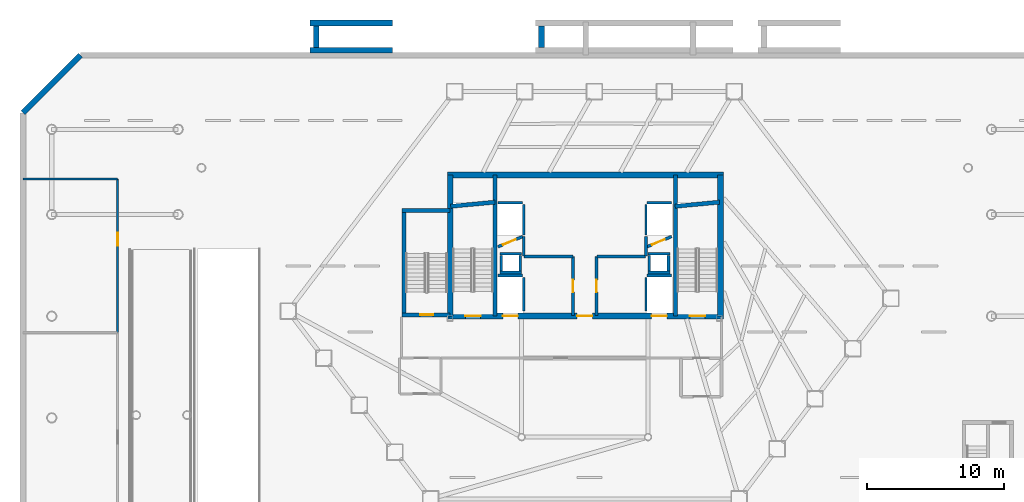
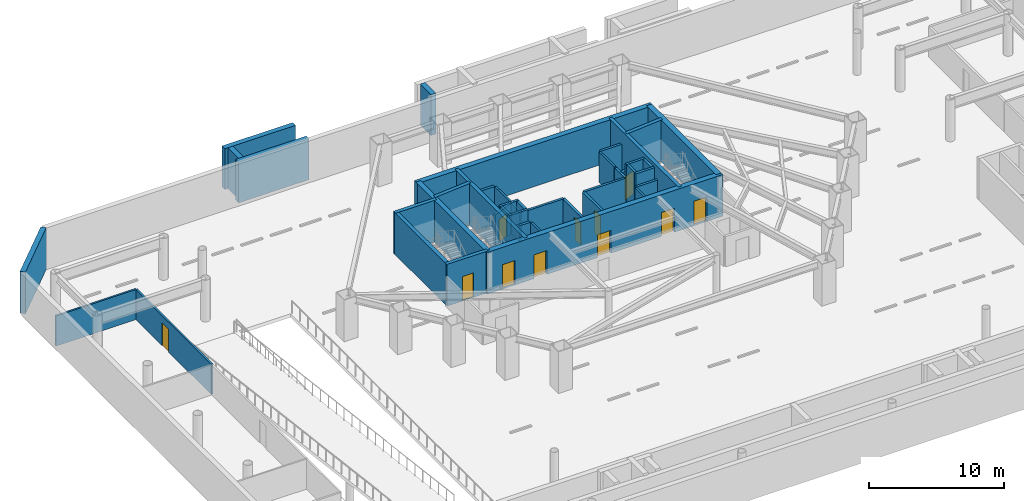
# One storey, part 9 of 15: 42 walls, 11 doors, 11 openings.
"""IFC4 building model written with IfcOpenShell, lengths in metres."""

from ifc_helpers import new_model, si_unit, direction, frame, frame_2d, origin, place, context, subcontext, project, spatial, rectangle, extrude, material, layer, layer_set, type_object, element, fill, save


model = new_model("IFC4")

# Units and contexts
model_context = context("Model", 3, precision=1e-05, world=origin(), true_north=direction((0.0, 1.0)))
body_context = subcontext(model_context, "Body", "Model", "MODEL_VIEW")
ifc_project = project(units=[si_unit("LENGTHUNIT", "METRE"), si_unit("AREAUNIT", "SQUARE_METRE"), si_unit("VOLUMEUNIT", "CUBIC_METRE"), si_unit("PLANEANGLEUNIT", "RADIAN"), si_unit("MASSUNIT", "GRAM", prefix="KILO")], contexts=[model_context])

# Site, building, storey
site_placement = place(None, origin())
site = spatial("IfcSite", under=ifc_project, at=site_placement, CompositionType="ELEMENT")
building_placement = place(site_placement, origin())
building = spatial("IfcBuilding", under=site, at=building_placement, Name="Zarrinselat Tower", CompositionType="ELEMENT")
storey_placement = place(building_placement, frame((0.0, 0.0, -4.080078125)))
storey = spatial("IfcBuildingStorey", under=building, at=storey_placement, Name="B01", CompositionType="ELEMENT", Elevation=-4.080078125)

# Wall, opening, door
ifc_material_1 = material(Name="Fire-Rated Gypsum Board Partition", Category="gypsum")
ifc_layer_1 = layer(ifc_material_1, 0.14990234375)
ifc_layer_set_1 = layer_set([ifc_layer_1], Name="Fire-Rated Gypsum Board Partition")
wall_type_1 = type_object("IfcWallType", Name="WAL-PART-EI60", PredefinedType="PARTITIONING", material=ifc_layer_set_1)
wall_1_placement = place(storey_placement, frame((4.39990234375, 32.0048828125, 0.0), z_axis=(0.0, 0.0, 1.0), x_axis=(0.0, 1.0, 0.0)))
wall_1 = element("IfcWall", 1, at=wall_1_placement, inside=storey, type_object=wall_type_1, Name="B01 Partition Wall 25", PredefinedType="PARTITIONING", context=body_context, shape_type="SweptSolid", body=[
    extrude(rectangle(XDim=11.175048828125, YDim=0.14990234375, at=frame_2d((5.58740234375, 0.0))), origin(), (0.0, 0.0, 1.0), 2.717041015625),
])
opening_1_placement = place(wall_1_placement, frame((6.3173828125, 0.0, 0.0)))
opening_1 = element("IfcOpeningElement", 2, at=opening_1_placement, cuts=wall_1, Name="Opening ID-04", PredefinedType="OPENING", context=body_context, shape_type="SweptSolid", body=[
    extrude(rectangle(XDim=0.93994140625, YDim=2.050048828125, at=frame_2d((0.469970703125, 1.02490234375))), frame((0.0, 0.0849609375, 0.0), z_axis=(0.0, -1.0, 0.0), x_axis=(1.0, 0.0, 0.0)), (0.0, 0.0, 1.0), 0.169921875),
])
ifc_material_2 = material(Name="Fire-Rated Gypsum Board Partition")
door_type_1 = type_object("IfcDoorType", Name="DR-INT-FD30-ENT", OperationType="NOTDEFINED", PredefinedType="DOOR", material=ifc_material_2)
door_1_placement = place(opening_1_placement, origin())
door_1 = element("IfcDoor", 3, at=door_1_placement, inside=storey, type_object=door_type_1, Name="B01 Interior Door P25", OperationType="SINGLE_SWING_RIGHT", OverallHeight=2.050048828125, OverallWidth=0.93994140625, PredefinedType="DOOR", context=body_context, shape_type="SweptSolid", body=[
    extrude(rectangle(XDim=0.93994140625, YDim=2.050048828125, at=frame_2d((0.469970703125, 1.02490234375))), frame((0.0, 0.02490234375, 0.0), z_axis=(0.0, -1.0, 0.0), x_axis=(1.0, 0.0, 0.0)), (0.0, 0.0, 1.0), 0.050048828125),
])
fill(opening_1, door_1)

# Wall
wall_2_placement = place(storey_placement, frame((-2.485107421875, 43.199951171875, 0.0), z_axis=(0.0, 0.0, 1.0), x_axis=(1.0, 0.0, 0.0)))
element("IfcWall", 4, at=wall_2_placement, inside=storey, type_object=wall_type_1, Name="B01 Partition Wall 26", PredefinedType="PARTITIONING", context=body_context, shape_type="SweptSolid", body=[
    extrude(rectangle(XDim=6.864990234375, YDim=0.14990234375, at=frame_2d((3.4326171875, 0.0))), origin(), (0.0, 0.0, 1.0), 2.717041015625),
])

# Wall, opening, door
ifc_material_3 = material(Name="Concrete C40/50", Category="concrete")
ifc_layer_2 = layer(ifc_material_3, 0.199951171875)
ifc_layer_set_2 = layer_set([ifc_layer_2], Name="Concrete C40/50")
wall_type_2 = type_object("IfcWallType", Name="WAL-PART-PLANT", PredefinedType="PARTITIONING", material=ifc_layer_set_2)
wall_3_placement = place(storey_placement, frame((37.550048828125, 33.264892578125, 0.0), z_axis=(0.0, 0.0, 1.0), x_axis=(0.0, 1.0, 0.0)))
wall_3 = element("IfcWall", 5, at=wall_3_placement, inside=storey, type_object=wall_type_2, Name="B01 Partition Wall 1", PredefinedType="PARTITIONING", context=body_context, shape_type="SweptSolid", body=[
    extrude(rectangle(XDim=4.26513671875, YDim=0.199951171875, at=frame_2d((2.132568359375, 0.0))), origin(), (0.0, 0.0, 1.0), 2.717041015625),
])
opening_2_placement = place(wall_3_placement, frame((1.6923828125, 0.0, 0.0)))
opening_2 = element("IfcOpeningElement", 6, at=opening_2_placement, cuts=wall_3, Name="Opening ID-03", PredefinedType="OPENING", context=body_context, shape_type="SweptSolid", body=[
    extrude(rectangle(XDim=0.8798828125, YDim=2.050048828125, at=frame_2d((0.43994140625, 1.02490234375))), frame((0.0, 0.10986328125, 0.0), z_axis=(0.0, -1.0, 0.0), x_axis=(1.0, 0.0, 0.0)), (0.0, 0.0, 1.0), 0.219970703125),
])
ifc_material_4 = material(Name="Steel S355J2", Category="steel")
door_type_2 = type_object("IfcDoorType", Name="DR-INT-FD60-S", OperationType="NOTDEFINED", PredefinedType="DOOR", material=ifc_material_4)
door_2_placement = place(opening_2_placement, origin())
door_2 = element("IfcDoor", 7, at=door_2_placement, inside=storey, type_object=door_type_2, Name="B01 Interior Door P1", OperationType="SINGLE_SWING_LEFT", OverallHeight=2.050048828125, OverallWidth=0.8798828125, PredefinedType="DOOR", context=body_context, shape_type="SweptSolid", body=[
    extrude(rectangle(XDim=0.8798828125, YDim=2.050048828125, at=frame_2d((0.43994140625, 1.02490234375))), frame((0.0, 0.02490234375, 0.0), z_axis=(0.0, -1.0, 0.0), x_axis=(1.0, 0.0, 0.0)), (0.0, 0.0, 1.0), 0.050048828125),
])
fill(opening_2, door_2)

# Walls
wall_4_placement = place(storey_placement, frame((33.969970703125, 37.550048828125, 0.0), z_axis=(0.0, 0.0, 1.0), x_axis=(1.0, 0.0, 0.0)))
element("IfcWall", 8, at=wall_4_placement, inside=storey, type_object=wall_type_2, Name="B01 Partition Wall 2", PredefinedType="PARTITIONING", context=body_context, shape_type="SweptSolid", body=[
    extrude(rectangle(XDim=3.56005859375, YDim=0.199951171875, at=frame_2d((1.780029296875, 0.0))), origin(), (0.0, 0.0, 1.0), 2.717041015625),
])
for number, where, z_axis, x_axis, name in (
    (9, (33.949951171875, 37.570068359375, 0.0), (0.0, 0.0, 1.0), (0.0, 1.0, 0.0), "B01 Partition Wall 3"),
    (10, (42.85009765625, 37.570068359375, 0.0), (0.0, 0.0, 1.0), (0.0, 1.0, 0.0), "B01 Partition Wall 4"),
):
    element("IfcWall", number, at=place(storey_placement, frame(where, z_axis=z_axis, x_axis=x_axis)), inside=storey, type_object=wall_type_2, Name=name, PredefinedType="PARTITIONING", context=body_context, shape_type="SweptSolid", body=[
        extrude(rectangle(XDim=1.4150390625, YDim=0.199951171875, at=frame_2d((0.70751953125, 0.0))), origin(), (0.0, 0.0, 1.0), 2.717041015625),
    ])
wall_5_placement = place(storey_placement, frame((39.27001953125, 37.550048828125, 0.0), z_axis=(0.0, 0.0, 1.0), x_axis=(1.0, 0.0, 0.0)))
element("IfcWall", 11, at=wall_5_placement, inside=storey, type_object=wall_type_2, Name="B01 Partition Wall 5", PredefinedType="PARTITIONING", context=body_context, shape_type="SweptSolid", body=[
    extrude(rectangle(XDim=3.56005859375, YDim=0.199951171875, at=frame_2d((1.780029296875, 0.0))), origin(), (0.0, 0.0, 1.0), 2.717041015625),
])

# Wall, opening, door
wall_6_placement = place(storey_placement, frame((39.25, 33.264892578125, 0.0), z_axis=(0.0, 0.0, 1.0), x_axis=(0.0, 1.0, 0.0)))
wall_6 = element("IfcWall", 12, at=wall_6_placement, inside=storey, type_object=wall_type_2, Name="B01 Partition Wall 6", PredefinedType="PARTITIONING", context=body_context, shape_type="SweptSolid", body=[
    extrude(rectangle(XDim=4.26513671875, YDim=0.199951171875, at=frame_2d((2.132568359375, 0.0))), origin(), (0.0, 0.0, 1.0), 2.717041015625),
])
opening_3_placement = place(wall_6_placement, frame((1.6923828125, 0.0, 0.0)))
opening_3 = element("IfcOpeningElement", 13, at=opening_3_placement, cuts=wall_6, Name="Opening ID-03", PredefinedType="OPENING", context=body_context, shape_type="SweptSolid", body=[
    extrude(rectangle(XDim=0.8798828125, YDim=2.050048828125, at=frame_2d((0.43994140625, 1.02490234375))), frame((0.0, 0.10986328125, 0.0), z_axis=(0.0, -1.0, 0.0), x_axis=(1.0, 0.0, 0.0)), (0.0, 0.0, 1.0), 0.219970703125),
])
door_3_placement = place(opening_3_placement, origin())
door_3 = element("IfcDoor", 14, at=door_3_placement, inside=storey, type_object=door_type_2, Name="B01 Interior Door P6", OperationType="SINGLE_SWING_RIGHT", OverallHeight=2.050048828125, OverallWidth=0.8798828125, PredefinedType="DOOR", context=body_context, shape_type="SweptSolid", body=[
    extrude(rectangle(XDim=0.8798828125, YDim=2.050048828125, at=frame_2d((0.43994140625, 1.02490234375))), frame((0.0, 0.02490234375, 0.0), z_axis=(0.0, -1.0, 0.0), x_axis=(1.0, 0.0, 0.0)), (0.0, 0.0, 1.0), 0.050048828125),
])
fill(opening_3, door_3)

# Walls
ifc_material_5 = material(Name="Concrete C50/60", Category="concrete")
ifc_layer_3 = layer(ifc_material_5, 0.419921875)
ifc_layer_set_3 = layer_set([ifc_layer_3], Name="Concrete C50/60")
wall_type_3 = type_object("IfcWallType", Name="WAL-RET-420", PredefinedType="SOLIDWALL", material=ifc_layer_set_3)
for number, where, z_axis, x_axis, name in (
    (15, (18.39990234375, 52.550048828125, 0.0), (0.0, 0.0, 1.0), (1.0, 0.0, 0.0), "B01 North Plaza NW Bearing Wall 52"),
    (16, (18.39990234375, 54.550048828125, 0.0), (0.0, 0.0, 1.0), (1.0, 0.0, 0.0), "B01 North Plaza NW Bearing Wall 54"),
):
    element("IfcWall", number, at=place(storey_placement, frame(where, z_axis=z_axis, x_axis=x_axis)), inside=storey, type_object=wall_type_3, Name=name, PredefinedType="SOLIDWALL", context=body_context, shape_type="SweptSolid", body=[
        extrude(rectangle(XDim=6.0, YDim=0.419921875, at=frame_2d((3.0, 0.0))), origin(), (0.0, 0.0, 1.0), 3.68017578125),
    ])
for number, where, z_axis, x_axis, name in (
    (17, (18.85009765625, 52.760009765625, 0.0), (0.0, 0.0, 1.0), (0.0, 1.0, 0.0), "B01 North Plaza NW Cross Bearing Wall"),
    (18, (35.25, 52.760009765625, 0.0), (0.0, 0.0, 1.0), (0.0, 1.0, 0.0), "B01 North Plaza NC Cross Bearing Wall"),
):
    element("IfcWall", number, at=place(storey_placement, frame(where, z_axis=z_axis, x_axis=x_axis)), inside=storey, type_object=wall_type_3, Name=name, PredefinedType="SOLIDWALL", context=body_context, shape_type="SweptSolid", body=[
        extrude(rectangle(XDim=1.580078125, YDim=0.419921875, at=frame_2d((0.7900390625, 0.0))), origin(), (0.0, 0.0, 1.0), 3.68017578125),
    ])
wall_7_placement = place(storey_placement, frame((-2.5, 48.0, 0.0), z_axis=(0.0, 0.0, 1.0), x_axis=(0.707106781187, 0.707106781187, 0.0)))
element("IfcWall", 19, at=wall_7_placement, inside=storey, type_object=wall_type_3, Name="B01 Basement Perimeter Retaining Wall 6", PredefinedType="SOLIDWALL", context=body_context, shape_type="SweptSolid", body=[
    extrude(rectangle(XDim=5.939697265625, YDim=0.419921875, at=frame_2d((2.9697265625, 0.0))), origin(), (0.0, 0.0, 1.0), 3.760009765625),
])
ifc_material_6 = material(Name="Concrete C40/50", Category="concrete")
ifc_layer_4 = layer(ifc_material_6, 0.2099609375)
ifc_layer_set_4 = layer_set([ifc_layer_4], Name="Concrete C40/50")
wall_type_4 = type_object("IfcWallType", Name="WAL-SHAFT-210", PredefinedType="SOLIDWALL", material=ifc_layer_set_4)
wall_8_placement = place(storey_placement, frame((32.080078125, 36.155029296875, 0.0), z_axis=(0.0, 0.0, 1.0), x_axis=(1.0, 0.0, 0.0)))
element("IfcWall", 20, at=wall_8_placement, inside=storey, type_object=wall_type_4, Name="B01 Lift FFL1 North Shaft Wall", PredefinedType="SOLIDWALL", context=body_context, shape_type="SweptSolid", body=[
    extrude(rectangle(XDim=1.7998046875, YDim=0.2099609375, at=frame_2d((0.89990234375, 0.0))), origin(), (0.0, 0.0, 1.0), 2.732177734375),
])
wall_9_placement = place(storey_placement, frame((33.949951171875, 33.580078125, 0.0), z_axis=(0.0, 0.0, 1.0), x_axis=(0.0, 1.0, 0.0)))
element("IfcWall", 21, at=wall_9_placement, inside=storey, type_object=wall_type_4, Name="B01 Lift FFL1 E Shaft Wall", PredefinedType="SOLIDWALL", context=body_context, shape_type="SweptSolid", body=[
    extrude(rectangle(XDim=2.449951171875, YDim=0.159912109375, at=frame_2d((1.22509765625, 0.0))), origin(), (0.0, 0.0, 1.0), 2.732177734375),
])
wall_10_placement = place(storey_placement, frame((42.919921875, 36.155029296875, 0.0), z_axis=(0.0, 0.0, 1.0), x_axis=(1.0, 0.0, 0.0)))
element("IfcWall", 22, at=wall_10_placement, inside=storey, type_object=wall_type_4, Name="B01 Lift FFL2 North Shaft Wall", PredefinedType="SOLIDWALL", context=body_context, shape_type="SweptSolid", body=[
    extrude(rectangle(XDim=1.800048828125, YDim=0.2099609375, at=frame_2d((0.89990234375, 0.0))), origin(), (0.0, 0.0, 1.0), 2.732177734375),
])
wall_11_placement = place(storey_placement, frame((42.85009765625, 33.580078125, 0.0), z_axis=(0.0, 0.0, 1.0), x_axis=(0.0, 1.0, 0.0)))
element("IfcWall", 23, at=wall_11_placement, inside=storey, type_object=wall_type_4, Name="B01 Lift FFL2 W Shaft Wall", PredefinedType="SOLIDWALL", context=body_context, shape_type="SweptSolid", body=[
    extrude(rectangle(XDim=2.449951171875, YDim=0.159912109375, at=frame_2d((1.22509765625, 0.0))), origin(), (0.0, 0.0, 1.0), 2.732177734375),
])

# Wall, opening, door
wall_12_placement = place(storey_placement, frame((32.080078125, 38.25, 0.0), z_axis=(0.0, 0.0, 1.0), x_axis=(0.923062104416, 0.384650947472, 0.0)))
wall_12 = element("IfcWall", 24, at=wall_12_placement, inside=storey, type_object=wall_type_4, Name="B01 Lift BSL1 Front Shaft Wall", PredefinedType="SOLIDWALL", context=body_context, shape_type="SweptSolid", body=[
    extrude(rectangle(XDim=1.94970703125, YDim=0.2099609375, at=frame_2d((0.974853515625, 0.0))), origin(), (0.0, 0.0, 1.0), 2.732177734375),
])
opening_4_placement = place(wall_12_placement, frame((0.39990234375, 0.0, 0.0)))
opening_4 = element("IfcOpeningElement", 25, at=opening_4_placement, cuts=wall_12, Name="Opening LD-BSL1", PredefinedType="OPENING", context=body_context, shape_type="SweptSolid", body=[
    extrude(rectangle(XDim=1.0, YDim=2.10009765625, at=frame_2d((0.5, 1.050048828125))), frame((0.0, 0.114990234375, 0.0), z_axis=(0.0, -1.0, 0.0), x_axis=(1.0, 0.0, 0.0)), (0.0, 0.0, 1.0), 0.22998046875),
])
ifc_material_7 = material(Name="Steel S355J2", Category="steel")
door_type_3 = type_object("IfcDoorType", Name="DR-LIFT-PS-1000", OperationType="NOTDEFINED", PredefinedType="DOOR", material=ifc_material_7)
door_4_placement = place(opening_4_placement, origin())
door_4 = element("IfcDoor", 26, at=door_4_placement, inside=storey, type_object=door_type_3, Name="B01 Lift BSL1 Sliding Landing Door", OperationType="SLIDING_TO_LEFT", OverallHeight=2.10009765625, OverallWidth=1.0, PredefinedType="DOOR", context=body_context, shape_type="SweptSolid", body=[
    extrude(rectangle(XDim=1.0, YDim=2.10009765625, at=frame_2d((0.5, 1.050048828125))), frame((0.0, 0.02490234375, 0.0), z_axis=(0.0, -1.0, 0.0), x_axis=(1.0, 0.0, 0.0)), (0.0, 0.0, 1.0), 0.050048828125),
])
fill(opening_4, door_4)

# Walls
wall_13_placement = place(storey_placement, frame((32.080078125, 41.455078125, 0.0), z_axis=(0.0, 0.0, 1.0), x_axis=(1.0, 0.0, 0.0)))
element("IfcWall", 27, at=wall_13_placement, inside=storey, type_object=wall_type_4, Name="B01 Lift BSL1 Rear Shaft Wall", PredefinedType="SOLIDWALL", context=body_context, shape_type="SweptSolid", body=[
    extrude(rectangle(XDim=1.7998046875, YDim=0.2099609375, at=frame_2d((0.89990234375, 0.0))), origin(), (0.0, 0.0, 1.0), 2.732177734375),
])
wall_14_placement = place(storey_placement, frame((33.949951171875, 39.1201171875, 0.0), z_axis=(0.0, 0.0, 1.0), x_axis=(0.0, 1.0, 0.0)))
element("IfcWall", 28, at=wall_14_placement, inside=storey, type_object=wall_type_4, Name="B01 Lift BSL1 E Shaft Wall", PredefinedType="SOLIDWALL", context=body_context, shape_type="SweptSolid", body=[
    extrude(rectangle(XDim=2.2099609375, YDim=0.159912109375, at=frame_2d((1.10498046875, 0.0))), origin(), (0.0, 0.0, 1.0), 2.732177734375),
])

# Wall, opening, door
wall_15_placement = place(storey_placement, frame((42.919921875, 38.25, 0.0), z_axis=(0.0, 0.0, 1.0), x_axis=(0.9230806271, 0.384606494839, 0.0)))
wall_15 = element("IfcWall", 29, at=wall_15_placement, inside=storey, type_object=wall_type_4, Name="B01 Lift BSL2 Front Shaft Wall", PredefinedType="SOLIDWALL", context=body_context, shape_type="SweptSolid", body=[
    extrude(rectangle(XDim=1.949951171875, YDim=0.2099609375, at=frame_2d((0.97509765625, 0.0))), origin(), (0.0, 0.0, 1.0), 2.732177734375),
])
opening_5_placement = place(wall_15_placement, frame((0.39990234375, 0.0, 0.0)))
opening_5 = element("IfcOpeningElement", 30, at=opening_5_placement, cuts=wall_15, Name="Opening LD-BSL2", PredefinedType="OPENING", context=body_context, shape_type="SweptSolid", body=[
    extrude(rectangle(XDim=1.0, YDim=2.10009765625, at=frame_2d((0.5, 1.050048828125))), frame((0.0, 0.114990234375, 0.0), z_axis=(0.0, -1.0, 0.0), x_axis=(1.0, 0.0, 0.0)), (0.0, 0.0, 1.0), 0.22998046875),
])
door_5_placement = place(opening_5_placement, origin())
door_5 = element("IfcDoor", 31, at=door_5_placement, inside=storey, type_object=door_type_3, Name="B01 Lift BSL2 Sliding Landing Door", OperationType="SLIDING_TO_RIGHT", OverallHeight=2.10009765625, OverallWidth=1.0, PredefinedType="DOOR", context=body_context, shape_type="SweptSolid", body=[
    extrude(rectangle(XDim=1.0, YDim=2.10009765625, at=frame_2d((0.5, 1.050048828125))), frame((0.0, 0.02490234375, 0.0), z_axis=(0.0, -1.0, 0.0), x_axis=(1.0, 0.0, 0.0)), (0.0, 0.0, 1.0), 0.050048828125),
])
fill(opening_5, door_5)

# Walls
wall_16_placement = place(storey_placement, frame((42.919921875, 41.455078125, 0.0), z_axis=(0.0, 0.0, 1.0), x_axis=(1.0, 0.0, 0.0)))
element("IfcWall", 32, at=wall_16_placement, inside=storey, type_object=wall_type_4, Name="B01 Lift BSL2 Rear Shaft Wall", PredefinedType="SOLIDWALL", context=body_context, shape_type="SweptSolid", body=[
    extrude(rectangle(XDim=1.800048828125, YDim=0.2099609375, at=frame_2d((0.89990234375, 0.0))), origin(), (0.0, 0.0, 1.0), 2.732177734375),
])
wall_17_placement = place(storey_placement, frame((42.85009765625, 39.1201171875, 0.0), z_axis=(0.0, 0.0, 1.0), x_axis=(0.0, 1.0, 0.0)))
element("IfcWall", 33, at=wall_17_placement, inside=storey, type_object=wall_type_4, Name="B01 Lift BSL2 W Shaft Wall", PredefinedType="SOLIDWALL", context=body_context, shape_type="SweptSolid", body=[
    extrude(rectangle(XDim=2.2099609375, YDim=0.159912109375, at=frame_2d((1.10498046875, 0.0))), origin(), (0.0, 0.0, 1.0), 2.732177734375),
])
for number, where, z_axis, x_axis, name in (
    (34, (32.2099609375, 36.375, 0.0), (0.0, 0.0, 1.0), (1.0, 0.0, 0.0), "B01 Core Riser RSR-W S Shaft Wall"),
    (35, (32.2099609375, 37.7451171875, 0.0), (0.0, 0.0, 1.0), (1.0, 0.0, 0.0), "B01 Core Riser RSR-W N Shaft Wall"),
):
    element("IfcWall", number, at=place(storey_placement, frame(where, z_axis=z_axis, x_axis=x_axis)), inside=storey, type_object=wall_type_4, Name=name, PredefinedType="SOLIDWALL", context=body_context, shape_type="SweptSolid", body=[
        extrude(rectangle(XDim=1.60009765625, YDim=0.2099609375, at=frame_2d((0.800048828125, 0.0))), origin(), (0.0, 0.0, 1.0), 3.760009765625),
    ])
for number, where, z_axis, x_axis, name in (
    (36, (32.31494140625, 36.485107421875, 0.0), (0.0, 0.0, 1.0), (0.0, 1.0, 0.0), "B01 Core Riser RSR-W W Shaft Wall"),
    (37, (33.705078125, 36.485107421875, 0.0), (0.0, 0.0, 1.0), (0.0, 1.0, 0.0), "B01 Core Riser RSR-W E Shaft Wall"),
):
    element("IfcWall", number, at=place(storey_placement, frame(where, z_axis=z_axis, x_axis=x_axis)), inside=storey, type_object=wall_type_4, Name=name, PredefinedType="SOLIDWALL", context=body_context, shape_type="SweptSolid", body=[
        extrude(rectangle(XDim=1.14990234375, YDim=0.2099609375, at=frame_2d((0.574951171875, 0.0))), origin(), (0.0, 0.0, 1.0), 3.760009765625),
    ])
for number, where, z_axis, x_axis, name in (
    (38, (42.989990234375, 36.375, 0.0), (0.0, 0.0, 1.0), (1.0, 0.0, 0.0), "B01 Core Riser RSR-E S Shaft Wall"),
    (39, (42.989990234375, 37.7451171875, 0.0), (0.0, 0.0, 1.0), (1.0, 0.0, 0.0), "B01 Core Riser RSR-E N Shaft Wall"),
):
    element("IfcWall", number, at=place(storey_placement, frame(where, z_axis=z_axis, x_axis=x_axis)), inside=storey, type_object=wall_type_4, Name=name, PredefinedType="SOLIDWALL", context=body_context, shape_type="SweptSolid", body=[
        extrude(rectangle(XDim=1.60009765625, YDim=0.2099609375, at=frame_2d((0.800048828125, 0.0))), origin(), (0.0, 0.0, 1.0), 3.760009765625),
    ])
for number, where, z_axis, x_axis, name in (
    (40, (43.094970703125, 36.485107421875, 0.0), (0.0, 0.0, 1.0), (0.0, 1.0, 0.0), "B01 Core Riser RSR-E W Shaft Wall"),
    (41, (44.485107421875, 36.485107421875, 0.0), (0.0, 0.0, 1.0), (0.0, 1.0, 0.0), "B01 Core Riser RSR-E E Shaft Wall"),
):
    element("IfcWall", number, at=place(storey_placement, frame(where, z_axis=z_axis, x_axis=x_axis)), inside=storey, type_object=wall_type_4, Name=name, PredefinedType="SOLIDWALL", context=body_context, shape_type="SweptSolid", body=[
        extrude(rectangle(XDim=1.14990234375, YDim=0.2099609375, at=frame_2d((0.574951171875, 0.0))), origin(), (0.0, 0.0, 1.0), 3.760009765625),
    ])
ifc_material_8 = material(Name="Concrete C40/50", Category="concrete")
ifc_layer_5 = layer(ifc_material_8, 0.300048828125)
ifc_layer_set_5 = layer_set([ifc_layer_5], Name="Concrete C40/50")
wall_type_5 = type_object("IfcWallType", Name="WAL-SHEAR-300", PredefinedType="SHEAR", material=ifc_layer_set_5)
for number, where, z_axis, x_axis, name in (
    (42, (31.8701171875, 33.22509765625, 0.0), (0.0, 0.0, 1.0), (0.0, 1.0, 0.0), "B01 Core Shear Wall ST1E"),
    (43, (44.989990234375, 33.22509765625, 0.0), (0.0, 0.0, 1.0), (0.0, 1.0, 0.0), "B01 Core Shear Wall ST2W"),
):
    element("IfcWall", number, at=place(storey_placement, frame(where, z_axis=z_axis, x_axis=x_axis)), inside=storey, type_object=wall_type_5, Name=name, PredefinedType="SHEAR", context=body_context, shape_type="SweptSolid", body=[
        extrude(rectangle(XDim=10.25, YDim=0.300048828125, at=frame_2d((5.125, 0.0))), origin(), (0.0, 0.0, 1.0), 3.760009765625),
    ])
wall_18_placement = place(storey_placement, frame((28.639892578125, 41.199951171875, 0.0), z_axis=(0.0, 0.0, 1.0), x_axis=(0.995687118776, 0.092774789157, 0.0)))
element("IfcWall", 44, at=wall_18_placement, inside=storey, type_object=wall_type_5, Name="B01 Stair 1 North Shaft Wall", PredefinedType="SHEAR", context=body_context, shape_type="SweptSolid", body=[
    extrude(rectangle(XDim=3.234130859375, YDim=0.300048828125, at=frame_2d((1.6171875, 0.0))), origin(), (0.0, 0.0, 1.0), 3.760009765625),
])
wall_19_placement = place(storey_placement, frame((44.97998046875, 41.199951171875, 0.0), z_axis=(0.0, 0.0, 1.0), x_axis=(0.995686468965, 0.09278176286, 0.0)))
element("IfcWall", 45, at=wall_19_placement, inside=storey, type_object=wall_type_5, Name="B01 Stair 2 North Shaft Wall", PredefinedType="SHEAR", context=body_context, shape_type="SweptSolid", body=[
    extrude(rectangle(XDim=3.23388671875, YDim=0.300048828125, at=frame_2d((1.616943359375, 0.0))), origin(), (0.0, 0.0, 1.0), 3.760009765625),
])
wall_20_placement = place(storey_placement, frame((25.080078125, 40.89990234375, 0.0), z_axis=(0.0, 0.0, 1.0), x_axis=(1.0, 0.0, 0.0)))
element("IfcWall", 46, at=wall_20_placement, inside=storey, type_object=wall_type_5, Name="B01 Stair 3 North Shear Wall", PredefinedType="SHEAR", context=body_context, shape_type="SweptSolid", body=[
    extrude(rectangle(XDim=3.52001953125, YDim=0.300048828125, at=frame_2d((1.760009765625, 0.0))), origin(), (0.0, 0.0, 1.0), 3.760009765625),
])

# Wall, opening, door
wall_21_placement = place(storey_placement, frame((25.080078125, 33.300048828125, 0.0), z_axis=(0.0, 0.0, 1.0), x_axis=(1.0, 0.0, 0.0)))
wall_21 = element("IfcWall", 47, at=wall_21_placement, inside=storey, type_object=wall_type_5, Name="B01 Stair 3 South Shear Wall", PredefinedType="SHEAR", context=body_context, shape_type="SweptSolid", body=[
    extrude(rectangle(XDim=3.52001953125, YDim=0.300048828125, at=frame_2d((1.760009765625, 0.0))), origin(), (0.0, 0.0, 1.0), 3.760009765625),
])
opening_6_placement = place(wall_21_placement, frame((1.3349609375, 0.0, 0.0)))
opening_6 = element("IfcOpeningElement", 48, at=opening_6_placement, cuts=wall_21, Name="Opening SD-02", PredefinedType="OPENING", context=body_context, shape_type="SweptSolid", body=[
    extrude(rectangle(XDim=0.949951171875, YDim=2.199951171875, at=frame_2d((0.47509765625, 1.10009765625))), frame((0.0, 0.159912109375, 0.0), z_axis=(0.0, -1.0, 0.0), x_axis=(1.0, 0.0, 0.0)), (0.0, 0.0, 1.0), 0.320068359375),
])
ifc_material_9 = material(Name="Steel S355J2", Category="steel")
door_type_4 = type_object("IfcDoorType", Name="DR-STAIR-1050", OperationType="NOTDEFINED", PredefinedType="DOOR", material=ifc_material_9)
door_6_placement = place(opening_6_placement, origin())
door_6 = element("IfcDoor", 49, at=door_6_placement, inside=storey, type_object=door_type_4, Name="B01 Exit Stair 3 Fire Door", OperationType="SINGLE_SWING_LEFT", OverallHeight=2.199951171875, OverallWidth=0.949951171875, PredefinedType="DOOR", context=body_context, shape_type="SweptSolid", body=[
    extrude(rectangle(XDim=0.949951171875, YDim=2.199951171875, at=frame_2d((0.47509765625, 1.10009765625))), frame((0.0, 0.02490234375, 0.0), z_axis=(0.0, -1.0, 0.0), x_axis=(1.0, 0.0, 0.0)), (0.0, 0.0, 1.0), 0.050048828125),
])
fill(opening_6, door_6)

# Walls
wall_22_placement = place(storey_placement, frame((25.22998046875, 33.300048828125, 0.0), z_axis=(0.0, 0.0, 1.0), x_axis=(0.0, 1.0, 0.0)))
element("IfcWall", 50, at=wall_22_placement, inside=storey, type_object=wall_type_5, Name="B01 Stair 3 West Shear Wall", PredefinedType="SHEAR", context=body_context, shape_type="SweptSolid", body=[
    extrude(rectangle(XDim=7.599853515625, YDim=0.300048828125, at=frame_2d((3.7998046875, 0.0))), origin(), (0.0, 0.0, 1.0), 3.760009765625),
])
ifc_material_10 = material(Name="Concrete C60/75", Category="concrete")
ifc_layer_6 = layer(ifc_material_10, 0.39990234375)
ifc_layer_set_6 = layer_set([ifc_layer_6], Name="Concrete C60/75")
wall_type_6 = type_object("IfcWallType", Name="WAL-SHEAR-400", PredefinedType="SHEAR", material=ifc_layer_set_6)
wall_23_placement = place(storey_placement, frame((28.60009765625, 33.22509765625, 0.0), z_axis=(0.0, 0.0, 1.0), x_axis=(0.0, 1.0, 0.0)))
element("IfcWall", 51, at=wall_23_placement, inside=storey, type_object=wall_type_6, Name="B01 Core Shear Wall W", PredefinedType="SHEAR", context=body_context, shape_type="SweptSolid", body=[
    extrude(rectangle(XDim=10.25, YDim=0.39990234375, at=frame_2d((5.125, 0.0))), origin(), (0.0, 0.0, 1.0), 3.760009765625),
])
ifc_material_11 = material(Name="Concrete C60/75", Category="concrete")
ifc_layer_7 = layer(ifc_material_11, 0.449951171875)
ifc_layer_set_7 = layer_set([ifc_layer_7], Name="Concrete C60/75")
wall_type_7 = type_object("IfcWallType", Name="WAL-SHEAR-450", PredefinedType="SHEAR", material=ifc_layer_set_7)
wall_24_placement = place(storey_placement, frame((28.39990234375, 43.47509765625, 0.0), z_axis=(0.0, 0.0, 1.0), x_axis=(1.0, 0.0, 0.0)))
element("IfcWall", 52, at=wall_24_placement, inside=storey, type_object=wall_type_7, Name="B01 North Core Shear Wall", PredefinedType="SHEAR", context=body_context, shape_type="SweptSolid", body=[
    extrude(rectangle(XDim=20.110107421875, YDim=0.449951171875, at=frame_2d((10.05517578125, 0.0))), origin(), (0.0, 0.0, 1.0), 3.760009765625),
])

# Wall, openings, doors
wall_25_placement = place(storey_placement, frame((28.39990234375, 33.22509765625, 0.0), z_axis=(0.0, 0.0, 1.0), x_axis=(1.0, 0.0, 0.0)))
wall_25 = element("IfcWall", 53, at=wall_25_placement, inside=storey, type_object=wall_type_7, Name="B01 South Core Shear Wall", PredefinedType="SHEAR", context=body_context, shape_type="SweptSolid", body=[
    extrude(rectangle(XDim=20.110107421875, YDim=0.449951171875, at=frame_2d((10.05517578125, 0.0))), origin(), (0.0, 0.0, 1.0), 3.760009765625),
])
opening_7_placement = place(wall_25_placement, frame((4.030029296875, 0.0, 0.0)))
opening_7 = element("IfcOpeningElement", 54, at=opening_7_placement, cuts=wall_25, Name="Opening LD-FFL1", PredefinedType="OPENING", context=body_context, shape_type="SweptSolid", body=[
    extrude(rectangle(XDim=1.10009765625, YDim=2.14990234375, at=frame_2d((0.550048828125, 1.074951171875))), frame((0.0, 0.23486328125, 0.0), z_axis=(0.0, -1.0, 0.0), x_axis=(1.0, 0.0, 0.0)), (0.0, 0.0, 1.0), 0.469970703125),
])
opening_8_placement = place(wall_25_placement, frame((14.8701171875, 0.0, 0.0)))
opening_8 = element("IfcOpeningElement", 55, at=opening_8_placement, cuts=wall_25, Name="Opening LD-FFL2", PredefinedType="OPENING", context=body_context, shape_type="SweptSolid", body=[
    extrude(rectangle(XDim=1.10009765625, YDim=2.14990234375, at=frame_2d((0.550048828125, 1.074951171875))), frame((0.0, 0.23486328125, 0.0), z_axis=(0.0, -1.0, 0.0), x_axis=(1.0, 0.0, 0.0)), (0.0, 0.0, 1.0), 0.469970703125),
])
opening_9_placement = place(wall_25_placement, frame((1.31005859375, 0.0, 0.0)))
opening_9 = element("IfcOpeningElement", 56, at=opening_9_placement, cuts=wall_25, Name="Opening SD-01", PredefinedType="OPENING", context=body_context, shape_type="SweptSolid", body=[
    extrude(rectangle(XDim=1.10009765625, YDim=2.199951171875, at=frame_2d((0.550048828125, 1.10009765625))), frame((0.0, 0.23486328125, 0.0), z_axis=(0.0, -1.0, 0.0), x_axis=(1.0, 0.0, 0.0)), (0.0, 0.0, 1.0), 0.469970703125),
])
opening_10_placement = place(wall_25_placement, frame((9.43994140625, 0.0, 0.0)))
opening_10 = element("IfcOpeningElement", 57, at=opening_10_placement, cuts=wall_25, Name="Opening ID-02", PredefinedType="OPENING", context=body_context, shape_type="SweptSolid", body=[
    extrude(rectangle(XDim=1.1201171875, YDim=2.050048828125, at=frame_2d((0.56005859375, 1.02490234375))), frame((0.0, 0.23486328125, 0.0), z_axis=(0.0, -1.0, 0.0), x_axis=(1.0, 0.0, 0.0)), (0.0, 0.0, 1.0), 0.469970703125),
])
opening_11_placement = place(wall_25_placement, frame((17.64990234375, 0.0, 0.0)))
opening_11 = element("IfcOpeningElement", 58, at=opening_11_placement, cuts=wall_25, Name="Opening SD-01", PredefinedType="OPENING", context=body_context, shape_type="SweptSolid", body=[
    extrude(rectangle(XDim=1.10009765625, YDim=2.199951171875, at=frame_2d((0.550048828125, 1.10009765625))), frame((0.0, 0.23486328125, 0.0), z_axis=(0.0, -1.0, 0.0), x_axis=(1.0, 0.0, 0.0)), (0.0, 0.0, 1.0), 0.469970703125),
])
ifc_material_12 = material(Name="Steel S355J2", Category="steel")
door_type_5 = type_object("IfcDoorType", Name="DR-INT-FD60-W", OperationType="NOTDEFINED", PredefinedType="DOOR", material=ifc_material_12)
door_7_placement = place(opening_10_placement, origin())
door_7 = element("IfcDoor", 59, at=door_7_placement, inside=storey, type_object=door_type_5, Name="B01 Core Service Vestibule Fire Door", OperationType="SINGLE_SWING_LEFT", OverallHeight=2.050048828125, OverallWidth=1.1201171875, PredefinedType="DOOR", context=body_context, shape_type="SweptSolid", body=[
    extrude(rectangle(XDim=1.1201171875, YDim=2.050048828125, at=frame_2d((0.56005859375, 1.02490234375))), frame((0.0, 0.02490234375, 0.0), z_axis=(0.0, -1.0, 0.0), x_axis=(1.0, 0.0, 0.0)), (0.0, 0.0, 1.0), 0.050048828125),
])
fill(opening_10, door_7)
ifc_material_13 = material(Name="Steel S355J2", Category="steel")
door_type_6 = type_object("IfcDoorType", Name="DR-LIFT-FF-1100", OperationType="NOTDEFINED", PredefinedType="DOOR", material=ifc_material_13)
door_8_placement = place(opening_7_placement, origin())
door_8 = element("IfcDoor", 60, at=door_8_placement, inside=storey, type_object=door_type_6, Name="B01 Lift FFL1 Sliding Landing Door", OperationType="SLIDING_TO_LEFT", OverallHeight=2.14990234375, OverallWidth=1.10009765625, PredefinedType="DOOR", context=body_context, shape_type="SweptSolid", body=[
    extrude(rectangle(XDim=1.10009765625, YDim=2.14990234375, at=frame_2d((0.550048828125, 1.074951171875))), frame((0.0, 0.02490234375, 0.0), z_axis=(0.0, -1.0, 0.0), x_axis=(1.0, 0.0, 0.0)), (0.0, 0.0, 1.0), 0.050048828125),
])
fill(opening_7, door_8)
door_9_placement = place(opening_8_placement, origin())
door_9 = element("IfcDoor", 61, at=door_9_placement, inside=storey, type_object=door_type_6, Name="B01 Lift FFL2 Sliding Landing Door", OperationType="SLIDING_TO_RIGHT", OverallHeight=2.14990234375, OverallWidth=1.10009765625, PredefinedType="DOOR", context=body_context, shape_type="SweptSolid", body=[
    extrude(rectangle(XDim=1.10009765625, YDim=2.14990234375, at=frame_2d((0.550048828125, 1.074951171875))), frame((0.0, 0.02490234375, 0.0), z_axis=(0.0, -1.0, 0.0), x_axis=(1.0, 0.0, 0.0)), (0.0, 0.0, 1.0), 0.050048828125),
])
fill(opening_8, door_9)
ifc_material_14 = material(Name="Steel S355J2", Category="steel")
door_type_7 = type_object("IfcDoorType", Name="DR-STAIR-1100", OperationType="NOTDEFINED", PredefinedType="DOOR", material=ifc_material_14)
door_10_placement = place(opening_9_placement, origin())
door_10 = element("IfcDoor", 62, at=door_10_placement, inside=storey, type_object=door_type_7, Name="B01 Exit Stair 1 Fire Door", OperationType="SINGLE_SWING_LEFT", OverallHeight=2.199951171875, OverallWidth=1.10009765625, PredefinedType="DOOR", context=body_context, shape_type="SweptSolid", body=[
    extrude(rectangle(XDim=1.10009765625, YDim=2.199951171875, at=frame_2d((0.550048828125, 1.10009765625))), frame((0.0, 0.02490234375, 0.0), z_axis=(0.0, -1.0, 0.0), x_axis=(1.0, 0.0, 0.0)), (0.0, 0.0, 1.0), 0.050048828125),
])
fill(opening_9, door_10)
door_11_placement = place(opening_11_placement, origin())
door_11 = element("IfcDoor", 63, at=door_11_placement, inside=storey, type_object=door_type_7, Name="B01 Exit Stair 2 Fire Door", OperationType="SINGLE_SWING_RIGHT", OverallHeight=2.199951171875, OverallWidth=1.10009765625, PredefinedType="DOOR", context=body_context, shape_type="SweptSolid", body=[
    extrude(rectangle(XDim=1.10009765625, YDim=2.199951171875, at=frame_2d((0.550048828125, 1.10009765625))), frame((0.0, 0.02490234375, 0.0), z_axis=(0.0, -1.0, 0.0), x_axis=(1.0, 0.0, 0.0)), (0.0, 0.0, 1.0), 0.050048828125),
])
fill(opening_11, door_11)

# Wall
wall_26_placement = place(storey_placement, frame((48.284912109375, 33.22509765625, 0.0), z_axis=(0.0, 0.0, 1.0), x_axis=(0.0, 1.0, 0.0)))
element("IfcWall", 64, at=wall_26_placement, inside=storey, type_object=wall_type_7, Name="B01 Core Shear Wall E", PredefinedType="SHEAR", context=body_context, shape_type="SweptSolid", body=[
    extrude(rectangle(XDim=10.25, YDim=0.449951171875, at=frame_2d((5.125, 0.0))), origin(), (0.0, 0.0, 1.0), 3.760009765625),
])

save(model, "model.ifc")
